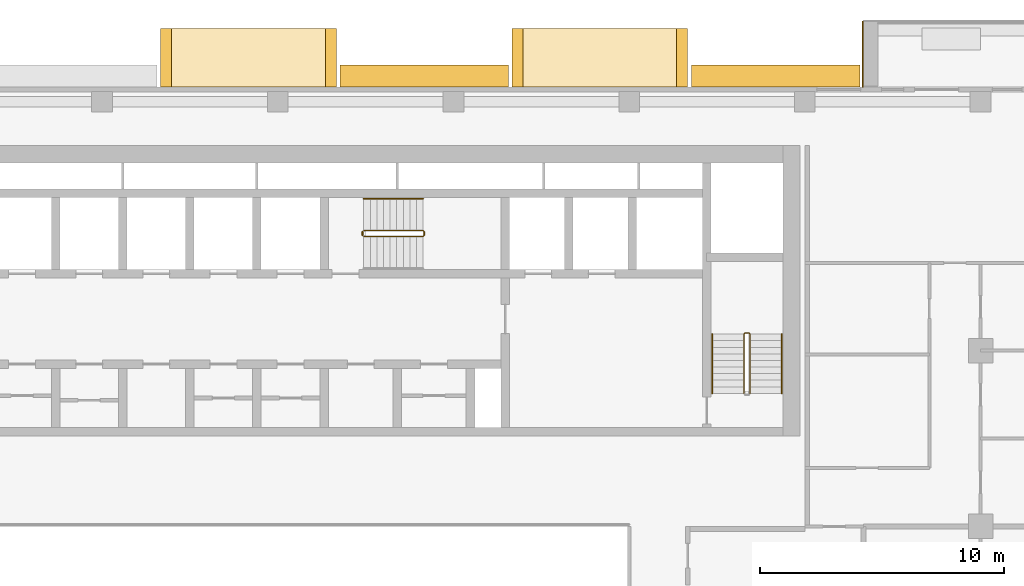
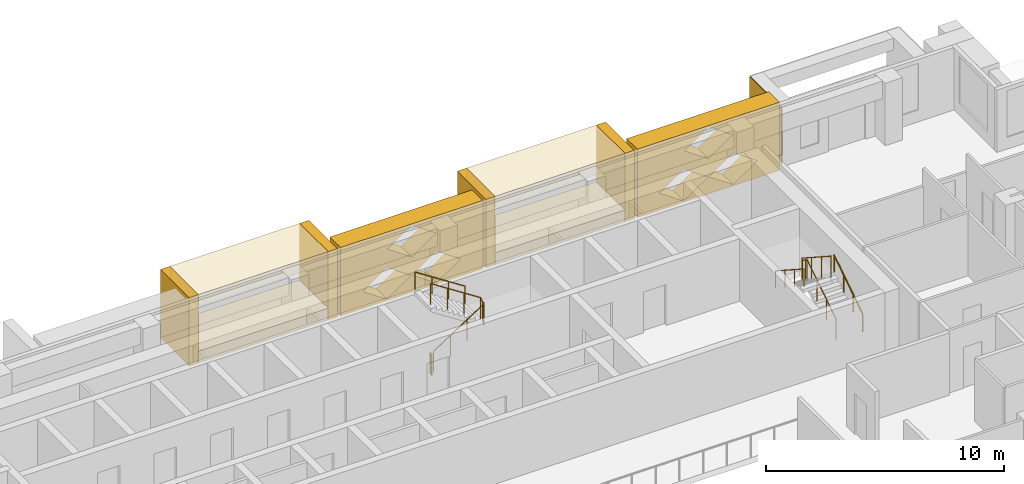
# One storey, part 19 of 20: 11 coverings, 6 railings.
"""IFC4 building model written with IfcOpenShell, lengths in metres."""

from ifc_helpers import new_model, si_unit, direction, frame, origin, origin_2d, place, context, subcontext, project, spatial, polyline, circle, outline, extrude, material, layer, layer_set, type_object, element, save


model = new_model("IFC4")

# Units and contexts
model_context = context("Model", 3, precision=1e-05, world=origin(), true_north=direction((0.0, 1.0)))
body_context = subcontext(model_context, "Body", "Model", "MODEL_VIEW")
ifc_project = project(units=[si_unit("LENGTHUNIT", "METRE"), si_unit("AREAUNIT", "SQUARE_METRE"), si_unit("VOLUMEUNIT", "CUBIC_METRE"), si_unit("PLANEANGLEUNIT", "RADIAN"), si_unit("MASSUNIT", "GRAM", prefix="KILO")], contexts=[model_context])

# Site, building, storey
site_placement = place(None, origin())
site = spatial("IfcSite", under=ifc_project, at=site_placement, CompositionType="ELEMENT")
building_placement = place(site_placement, origin())
building = spatial("IfcBuilding", under=site, at=building_placement, Name="Saffron Iwan Residences", CompositionType="ELEMENT")
storey_placement = place(building_placement, frame((0.0, 0.0, 157.0)))
storey = spatial("IfcBuildingStorey", under=building, at=storey_placement, Name="L41", CompositionType="ELEMENT", Elevation=157.0)

# Coverings
ifc_material_1 = material(Name="Precast concrete C40/50 white painted", Category="concrete")
ifc_layer = layer(ifc_material_1, 0.050048828125)
ifc_layer_set = layer_set([ifc_layer], Name="Precast concrete C40/50 white painted")
covering_type_1 = type_object("IfcCoveringType", Name="FRAME SKIN PRECAST WHITE 50", PredefinedType="CLADDING", material=ifc_layer_set)
covering_placement = place(storey_placement, origin())
element("IfcCovering", 1, at=covering_placement, inside=storey, type_object=covering_type_1, Name="Frame skin fin L41 F5-0b", PredefinedType="CLADDING", context=body_context, shape_type="SweptSolid", body=[
    extrude(outline(polyline([(74.39990234375, 83.10009765625), (74.35009765625, 83.10009765625), (74.35009765625, 80.39990234375), (74.39990234375, 80.39990234375), (74.39990234375, 83.10009765625)])), origin(), (0.0, 0.0, 1.0), 2.85009765625),
])
ifc_material_2 = material(Name="Precast concrete C40/50", Category="concrete")
covering_type_2 = type_object("IfcCoveringType", Name="OUTER SKIN LATTICE SCREEN", PredefinedType="CLADDING", material=ifc_material_2)
for number, where, z_axis, x_axis, name in (
    (2, (74.25, 80.39990234375, -0.300048828125), (0.0, 1.0, 0.0), (-1.0, 0.0, 0.0), "OUTER SKIN lattice screen L41 F5.1"),
    (3, (59.85009765625, 80.39990234375, -0.300048828125), (0.0, 1.0, 0.0), (-1.0, 0.0, 0.0), "OUTER SKIN lattice screen L41 F5.2"),
):
    element("IfcCovering", number, at=place(storey_placement, frame(where, z_axis=z_axis, x_axis=x_axis)), inside=storey, type_object=covering_type_2, Name=name, PredefinedType="CLADDING", context=body_context, shape_type="SweptSolid", body=[
        extrude(outline(polyline([(0.0, 0.0), (6.89990234375, 0.0), (6.89990234375, 3.5), (0.0, 3.5), (0.0, 0.0)]), holes=[polyline([(1.070068359375, 0.875), (2.25, 0.06005859375), (3.429931640625, 0.875), (2.25, 1.68994140625), (1.070068359375, 0.875)]), polyline([(3.469970703125, 0.875), (4.64990234375, 0.06005859375), (5.830078125, 0.875), (4.64990234375, 1.68994140625), (3.469970703125, 0.875)]), polyline([(2.27001953125, 2.625), (3.449951171875, 1.81005859375), (4.6298828125, 2.625), (3.449951171875, 3.43994140625), (2.27001953125, 2.625)])]), origin(), (0.0, 0.0, 1.0), 0.900146484375),
    ])

# Railings
ifc_material_3 = material(Name="Steel S355", Category="steel")
railing_type_1 = type_object("IfcRailingType", Name="Stair guard 1100", PredefinedType="GUARDRAIL", material=ifc_material_3)
railing_1_placement = place(storey_placement, frame((53.925048828125, 74.27490234375, 0.175048828125)))
element("IfcRailing", 4, at=railing_1_placement, inside=storey, type_object=railing_type_1, Name="L41 ST-C stair guard 1", PredefinedType="GUARDRAIL", context=body_context, shape_type="SweptSolid", body=[
    extrude(circle(Radius=0.02392578125, at=origin_2d()), frame((0.0, 0.0, 1.076171875), z_axis=(0.839153699163, 0.0, 0.543894354798), x_axis=(0.0, 1.0, 0.0)), (0.0, 0.0, 1.0), 2.895751953125),
    extrude(circle(Radius=0.02392578125, at=origin_2d()), frame((2.429931640625, 0.0, 2.65087890625), z_axis=(0.707106781187, 0.707106781187, 0.0), x_axis=(-0.707106781187, 0.707106781187, 0.0)), (0.0, 0.0, 1.0), 0.07080078125),
    extrude(circle(Radius=0.02392578125, at=origin_2d()), frame((2.47998046875, 0.050048828125, 2.65087890625), z_axis=(0.0, 1.0, 0.0), x_axis=(-1.0, 0.0, 0.0)), (0.0, 0.0, 1.0), 0.150146484375),
    extrude(circle(Radius=0.02392578125, at=origin_2d()), frame((2.47998046875, 0.2001953125, 2.65087890625), z_axis=(-0.265155923931, 0.263862480399, 0.927399011991), x_axis=(-0.705375805398, -0.708833529934, 0.0)), (0.0, 0.0, 1.0), 0.188720703125),
    extrude(circle(Radius=0.02392578125, at=origin_2d()), frame((2.429931640625, 0.25, 2.826171875), z_axis=(-0.839153699163, 0.0, 0.543894354798), x_axis=(0.0, -1.0, 0.0)), (0.0, 0.0, 1.0), 2.895751953125),
    extrude(circle(Radius=0.02099609375, at=origin_2d()), origin(), (0.0, 0.0, 1.0), 1.052001953125),
    extrude(circle(Radius=0.02099609375, at=origin_2d()), frame((0.81005859375, 0.0, 0.52490234375)), (0.0, 0.0, 1.0), 1.052001953125),
    extrude(circle(Radius=0.02099609375, at=origin_2d()), frame((1.619873046875, 0.0, 1.050048828125)), (0.0, 0.0, 1.0), 1.052001953125),
    extrude(circle(Radius=0.02099609375, at=origin_2d()), frame((2.429931640625, 0.0, 1.574951171875)), (0.0, 0.0, 1.0), 1.052001953125),
    extrude(circle(Radius=0.02099609375, at=origin_2d()), frame((2.47998046875, 0.050048828125, 1.574951171875)), (0.0, 0.0, 1.0), 1.052001953125),
    extrude(circle(Radius=0.02099609375, at=origin_2d()), frame((2.47998046875, 0.2001953125, 1.574951171875)), (0.0, 0.0, 1.0), 1.052001953125),
    extrude(circle(Radius=0.02099609375, at=origin_2d()), frame((2.429931640625, 0.25, 1.75)), (0.0, 0.0, 1.0), 1.052001953125),
    extrude(circle(Radius=0.02099609375, at=origin_2d()), frame((1.619873046875, 0.25, 2.27490234375)), (0.0, 0.0, 1.0), 1.052001953125),
    extrude(circle(Radius=0.02099609375, at=origin_2d()), frame((0.81005859375, 0.25, 2.800048828125)), (0.0, 0.0, 1.0), 1.052001953125),
    extrude(circle(Radius=0.02099609375, at=origin_2d()), frame((0.0, 0.25, 3.324951171875)), (0.0, 0.0, 1.0), 1.052001953125),
])
railing_2_placement = place(storey_placement, frame((53.875, 74.324951171875, 0.0)))
element("IfcRailing", 5, at=railing_2_placement, inside=storey, type_object=railing_type_1, Name="L41 ST-C stair guard 2", PredefinedType="GUARDRAIL", context=body_context, shape_type="SweptSolid", body=[
    extrude(circle(Radius=0.02392578125, at=origin_2d()), frame((0.0, 0.0, 1.076171875), z_axis=(0.0, 1.0, 0.0), x_axis=(-1.0, 0.0, 0.0)), (0.0, 0.0, 1.0), 0.150146484375),
    extrude(circle(Radius=0.02099609375, at=origin_2d()), origin(), (0.0, 0.0, 1.0), 1.052001953125),
    extrude(circle(Radius=0.02099609375, at=origin_2d()), frame((0.0, 0.150146484375, 0.0)), (0.0, 0.0, 1.0), 1.052001953125),
])
railing_3_placement = place(storey_placement, frame((69.75, 67.85009765625, 0.175048828125)))
element("IfcRailing", 6, at=railing_3_placement, inside=storey, type_object=railing_type_1, Name="L41 ST-E stair guard 1", PredefinedType="GUARDRAIL", context=body_context, shape_type="SweptSolid", body=[
    extrude(circle(Radius=0.02392578125, at=origin_2d()), frame((0.0, 0.0, 1.076171875), z_axis=(0.0, 0.839153699163, 0.543894354798), x_axis=(-1.0, 0.0, 0.0)), (0.0, 0.0, 1.0), 2.895751953125),
    extrude(circle(Radius=0.02392578125, at=origin_2d()), frame((0.0, 2.429931640625, 2.65087890625), z_axis=(-0.707106781187, 0.707106781187, 0.0), x_axis=(-0.707106781187, -0.707106781187, 0.0)), (0.0, 0.0, 1.0), 0.07080078125),
    extrude(circle(Radius=0.02392578125, at=origin_2d()), frame((-0.050048828125, 2.47998046875, 2.65087890625), z_axis=(-1.0, 0.0, 0.0), x_axis=(0.0, -1.0, 0.0)), (0.0, 0.0, 1.0), 0.14990234375),
    extrude(circle(Radius=0.02392578125, at=origin_2d()), frame((-0.199951171875, 2.47998046875, 2.65087890625), z_axis=(-0.265065253269, -0.265065253269, 0.927081885822), x_axis=(0.707106781187, -0.707106781187, 0.0)), (0.0, 0.0, 1.0), 0.188720703125),
    extrude(circle(Radius=0.02392578125, at=origin_2d()), frame((-0.25, 2.429931640625, 2.826171875), z_axis=(0.0, -0.839153699163, 0.543894354798), x_axis=(1.0, 0.0, 0.0)), (0.0, 0.0, 1.0), 2.895751953125),
    extrude(circle(Radius=0.02099609375, at=origin_2d()), origin(), (0.0, 0.0, 1.0), 1.052001953125),
    extrude(circle(Radius=0.02099609375, at=origin_2d()), frame((0.0, 0.81005859375, 0.52490234375)), (0.0, 0.0, 1.0), 1.052001953125),
    extrude(circle(Radius=0.02099609375, at=origin_2d()), frame((0.0, 1.619873046875, 1.050048828125)), (0.0, 0.0, 1.0), 1.052001953125),
    extrude(circle(Radius=0.02099609375, at=origin_2d()), frame((0.0, 2.429931640625, 1.574951171875)), (0.0, 0.0, 1.0), 1.052001953125),
    extrude(circle(Radius=0.02099609375, at=origin_2d()), frame((-0.050048828125, 2.47998046875, 1.574951171875)), (0.0, 0.0, 1.0), 1.052001953125),
    extrude(circle(Radius=0.02099609375, at=origin_2d()), frame((-0.199951171875, 2.47998046875, 1.574951171875)), (0.0, 0.0, 1.0), 1.052001953125),
    extrude(circle(Radius=0.02099609375, at=origin_2d()), frame((-0.25, 2.429931640625, 1.75)), (0.0, 0.0, 1.0), 1.052001953125),
    extrude(circle(Radius=0.02099609375, at=origin_2d()), frame((-0.25, 1.619873046875, 2.27490234375)), (0.0, 0.0, 1.0), 1.052001953125),
    extrude(circle(Radius=0.02099609375, at=origin_2d()), frame((-0.25, 0.81005859375, 2.800048828125)), (0.0, 0.0, 1.0), 1.052001953125),
    extrude(circle(Radius=0.02099609375, at=origin_2d()), frame((-0.25, 0.0, 3.324951171875)), (0.0, 0.0, 1.0), 1.052001953125),
])
ifc_material_4 = material(Name="Stainless steel 316", Category="steel")
railing_type_2 = type_object("IfcRailingType", Name="Stair handrail 900", PredefinedType="HANDRAIL", material=ifc_material_4)
railing_4_placement = place(storey_placement, frame((56.35498046875, 75.824951171875, 1.925048828125)))
element("IfcRailing", 7, at=railing_4_placement, inside=storey, type_object=railing_type_2, Name="L41 ST-C stair handrail 2", PredefinedType="HANDRAIL", context=body_context, shape_type="SweptSolid", body=[
    extrude(circle(Radius=0.02392578125, at=origin_2d()), frame((0.0, 0.0, 0.8759765625), z_axis=(-0.839153699163, 0.0, 0.543894354798), x_axis=(0.0, -1.0, 0.0)), (0.0, 0.0, 1.0), 2.895751953125),
    extrude(circle(Radius=0.02099609375, at=origin_2d()), origin(), (0.0, 0.0, 1.0), 0.851806640625),
    extrude(circle(Radius=0.02099609375, at=origin_2d()), frame((-0.81005859375, 0.0, 0.52490234375)), (0.0, 0.0, 1.0), 0.851806640625),
    extrude(circle(Radius=0.02099609375, at=origin_2d()), frame((-1.619873046875, 0.0, 1.050048828125)), (0.0, 0.0, 1.0), 0.851806640625),
    extrude(circle(Radius=0.02099609375, at=origin_2d()), frame((-2.429931640625, 0.0, 1.574951171875)), (0.0, 0.0, 1.0), 0.851806640625),
])
railing_5_placement = place(storey_placement, frame((71.050048828125, 67.85009765625, 0.175048828125)))
element("IfcRailing", 8, at=railing_5_placement, inside=storey, type_object=railing_type_2, Name="L41 ST-E stair handrail 1", PredefinedType="HANDRAIL", context=body_context, shape_type="SweptSolid", body=[
    extrude(circle(Radius=0.02392578125, at=origin_2d()), frame((0.0, 0.0, 0.8759765625), z_axis=(0.0, 0.839153699163, 0.543894354798), x_axis=(-1.0, 0.0, 0.0)), (0.0, 0.0, 1.0), 2.895751953125),
    extrude(circle(Radius=0.02099609375, at=origin_2d()), origin(), (0.0, 0.0, 1.0), 0.851806640625),
    extrude(circle(Radius=0.02099609375, at=origin_2d()), frame((0.0, 0.81005859375, 0.52490234375)), (0.0, 0.0, 1.0), 0.851806640625),
    extrude(circle(Radius=0.02099609375, at=origin_2d()), frame((0.0, 1.619873046875, 1.050048828125)), (0.0, 0.0, 1.0), 0.851806640625),
    extrude(circle(Radius=0.02099609375, at=origin_2d()), frame((0.0, 2.429931640625, 1.574951171875)), (0.0, 0.0, 1.0), 0.851806640625),
])
railing_6_placement = place(storey_placement, frame((68.199951171875, 70.280029296875, 1.925048828125)))
element("IfcRailing", 9, at=railing_6_placement, inside=storey, type_object=railing_type_2, Name="L41 ST-E stair handrail 2", PredefinedType="HANDRAIL", context=body_context, shape_type="SweptSolid", body=[
    extrude(circle(Radius=0.02392578125, at=origin_2d()), frame((0.0, 0.0, 0.8759765625), z_axis=(0.0, -0.839153699163, 0.543894354798), x_axis=(1.0, 0.0, 0.0)), (0.0, 0.0, 1.0), 2.895751953125),
    extrude(circle(Radius=0.02099609375, at=origin_2d()), origin(), (0.0, 0.0, 1.0), 0.851806640625),
    extrude(circle(Radius=0.02099609375, at=origin_2d()), frame((0.0, -0.81005859375, 0.52490234375)), (0.0, 0.0, 1.0), 0.851806640625),
    extrude(circle(Radius=0.02099609375, at=origin_2d()), frame((0.0, -1.619873046875, 1.050048828125)), (0.0, 0.0, 1.0), 0.851806640625),
    extrude(circle(Radius=0.02099609375, at=origin_2d()), frame((0.0, -2.429931640625, 1.574951171875)), (0.0, 0.0, 1.0), 0.851806640625),
])

# Coverings
covering_type_3 = type_object("IfcCoveringType", Name="WHITE SUN FRAME PRECAST", PredefinedType="CLADDING", material=ifc_material_1)
for number, where, z_axis, x_axis, name in (
    (10, (67.199951171875, 80.39990234375, -0.300048828125), (0.0, 1.0, 0.0), (-1.0, 0.0, 0.0), "Sun frame L41 F5 15.6a"),
    (11, (60.449951171875, 80.39990234375, -0.300048828125), (0.0, 1.0, 0.0), (-1.0, 0.0, 0.0), "Sun frame L41 F5 15.6b"),
):
    element("IfcCovering", number, at=place(storey_placement, frame(where, z_axis=z_axis, x_axis=x_axis)), inside=storey, type_object=covering_type_3, Name=name, PredefinedType="CLADDING", context=body_context, shape_type="SweptSolid", body=[
        extrude(outline(polyline([(0.0, 0.0), (0.449951171875, 0.0), (0.449951171875, 3.5), (0.0, 3.5), (0.0, 0.0)])), origin(), (0.0, 0.0, 1.0), 2.400146484375),
    ])
for number, where, z_axis, x_axis, name in (
    (12, (66.75, 80.39990234375, 2.60009765625), (0.0, 1.0, 0.0), (-1.0, 0.0, 0.0), "Sun frame L41 F5 15.6h"),
    (13, (66.75, 80.39990234375, -0.300048828125), (0.0, 1.0, 0.0), (-1.0, 0.0, 0.0), "Sun frame L41 F5 15.6s"),
):
    element("IfcCovering", number, at=place(storey_placement, frame(where, z_axis=z_axis, x_axis=x_axis)), inside=storey, type_object=covering_type_3, Name=name, PredefinedType="CLADDING", context=body_context, shape_type="SweptSolid", body=[
        extrude(outline(polyline([(0.0, 0.0), (6.300048828125, 0.0), (6.300048828125, 0.60009765625), (0.0, 0.60009765625), (0.0, 0.0)])), origin(), (0.0, 0.0, 1.0), 2.400146484375),
    ])
for number, where, z_axis, x_axis, name in (
    (14, (52.800048828125, 80.39990234375, -0.300048828125), (0.0, 1.0, 0.0), (-1.0, 0.0, 0.0), "Sun frame L41 F5 30.0a"),
    (15, (46.050048828125, 80.39990234375, -0.300048828125), (0.0, 1.0, 0.0), (-1.0, 0.0, 0.0), "Sun frame L41 F5 30.0b"),
):
    element("IfcCovering", number, at=place(storey_placement, frame(where, z_axis=z_axis, x_axis=x_axis)), inside=storey, type_object=covering_type_3, Name=name, PredefinedType="CLADDING", context=body_context, shape_type="SweptSolid", body=[
        extrude(outline(polyline([(0.0, 0.0), (0.449951171875, 0.0), (0.449951171875, 3.5), (0.0, 3.5), (0.0, 0.0)])), origin(), (0.0, 0.0, 1.0), 2.400146484375),
    ])
for number, where, z_axis, x_axis, name in (
    (16, (52.35009765625, 80.39990234375, 2.60009765625), (0.0, 1.0, 0.0), (-1.0, 0.0, 0.0), "Sun frame L41 F5 30.0h"),
    (17, (52.35009765625, 80.39990234375, -0.300048828125), (0.0, 1.0, 0.0), (-1.0, 0.0, 0.0), "Sun frame L41 F5 30.0s"),
):
    element("IfcCovering", number, at=place(storey_placement, frame(where, z_axis=z_axis, x_axis=x_axis)), inside=storey, type_object=covering_type_3, Name=name, PredefinedType="CLADDING", context=body_context, shape_type="SweptSolid", body=[
        extrude(outline(polyline([(0.0, 0.0), (6.300048828125, 0.0), (6.300048828125, 0.60009765625), (0.0, 0.60009765625), (0.0, 0.0)])), origin(), (0.0, 0.0, 1.0), 2.400146484375),
    ])

save(model, "model.ifc")
